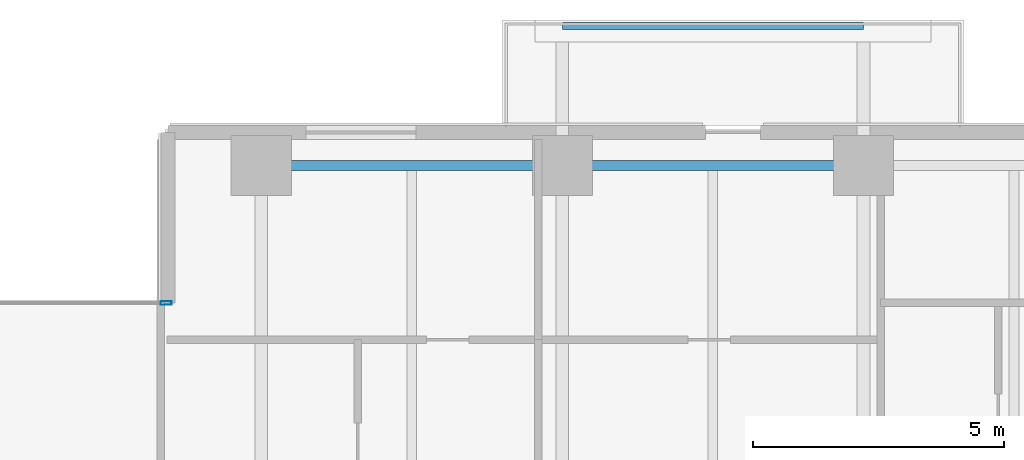
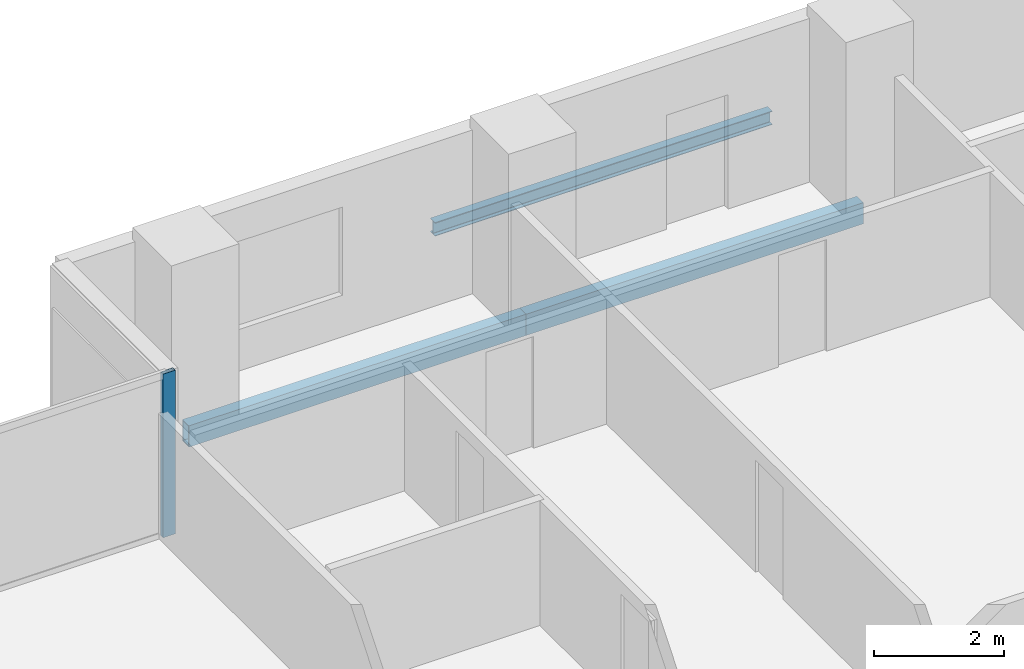
# One storey, part 8 of 26: 3 beams, 1 member, 1 element without a shape of its own.
"""IFC4 building model written with IfcOpenShell, lengths in metres."""

from ifc_helpers import new_model, si_unit, direction, frame, origin, origin_2d, place, context, subcontext, project, spatial, hollow_rectangle, i_section, extrude, material, layer, layer_set, material_profile, profile_set, type_object, element, aggregate, save


model = new_model("IFC4")

# Units and contexts
model_context = context("Model", 3, precision=1e-05, world=origin(), true_north=direction((0.0, 1.0)))
body_context = subcontext(model_context, "Body", "Model", "MODEL_VIEW")
ifc_project = project(units=[si_unit("LENGTHUNIT", "METRE"), si_unit("AREAUNIT", "SQUARE_METRE"), si_unit("VOLUMEUNIT", "CUBIC_METRE"), si_unit("PLANEANGLEUNIT", "RADIAN"), si_unit("MASSUNIT", "GRAM", prefix="KILO")], contexts=[model_context])

# Site, building, storey
site_placement = place(None, origin())
site = spatial("IfcSite", under=ifc_project, at=site_placement, CompositionType="ELEMENT")
building_placement = place(site_placement, origin())
building = spatial("IfcBuilding", under=site, at=building_placement, Name="Tanjung Sevakor Pilgrim Tower", CompositionType="ELEMENT")
storey_placement = place(building_placement, frame((0.0, 0.0, 45.5400390625)))
storey = spatial("IfcBuildingStorey", under=building, at=storey_placement, Name="L12", CompositionType="ELEMENT", Elevation=45.5400390625)

# Beams
ifc_material_1 = material(Name="Steel S355J2", Category="steel")
ifc_material_profile_1 = material_profile(ifc_material_1, i_section(OverallWidth=0.146484375, OverallDepth=0.256103515625, WebThickness=0.00634765625, FlangeThickness=0.010986328125, FilletRadius=0.007568359375, at=origin_2d()))
ifc_profile_set_1 = profile_set([ifc_material_profile_1], Name="Steel S355J2")
beam_type_1 = type_object("IfcBeamType", Name="BM-B-J6-UB_254x146x37", PredefinedType="JOIST", material=ifc_profile_set_1)
beam_placement = place(storey_placement, frame((60.0, 61.580078125, -0.328125), z_axis=(1.0, 0.0, 0.0), x_axis=(0.0, 1.0, 0.0)))
element("IfcBeam", 1, at=beam_placement, inside=storey, type_object=beam_type_1, Name="L12 Balcony Rim Tie MAIN-N2", PredefinedType="JOIST", context=body_context, shape_type="SweptSolid", body=[
    extrude(i_section(OverallWidth=0.146484375, OverallDepth=0.256103515625, WebThickness=0.00634765625, FlangeThickness=0.010986328125, FilletRadius=0.007568359375, at=origin_2d()), origin(), (0.0, 0.0, 1.0), 6.0),
])
ifc_material_2 = material(Name="Steel S355J2", Category="steel")
ifc_material_profile_2 = material_profile(ifc_material_2, hollow_rectangle(XDim=0.199951171875, YDim=0.39990234375, WallThickness=0.01611328125, at=origin_2d()))
ifc_profile_set_2 = profile_set([ifc_material_profile_2], Name="Steel S355J2")
beam_type_2 = type_object("IfcBeamType", Name="BM-B-SP2-RHS_400x200x16", PredefinedType="SPANDREL", material=ifc_profile_set_2)
for number, where, z_axis, x_axis, name in (
    (2, (54.0, 58.800048828125, -0.419921875), (1.0, 0.0, 0.0), (0.0, 1.0, 0.0), "L12 Spandrel MAIN N-08"),
    (3, (60.0, 58.800048828125, -0.419921875), (1.0, 0.0, 0.0), (0.0, 1.0, 0.0), "L12 Spandrel MAIN N-10"),
):
    element("IfcBeam", number, at=place(storey_placement, frame(where, z_axis=z_axis, x_axis=x_axis)), inside=storey, type_object=beam_type_2, Name=name, PredefinedType="SPANDREL", context=body_context, shape_type="SweptSolid", body=[
        extrude(hollow_rectangle(XDim=0.199951171875, YDim=0.39990234375, WallThickness=0.01611328125, at=origin_2d()), origin(), (0.0, 0.0, 1.0), 6.0),
    ])

# Curtain wall, member
ifc_material_3 = material(Name="Aluminium 6063-T6 and Low-E Glass", Category="aluminium")
ifc_layer = layer(ifc_material_3, 0.179931640625)
ifc_layer_set = layer_set([ifc_layer], Name="CW-SYS-CLEFT")
curtain_wall_type = type_object("IfcCurtainWallType", Name="CW-SYS-CLEFT", PredefinedType="NOTDEFINED", material=ifc_layer_set)
curtain_wall_placement = place(storey_placement, origin())
curtain_wall = element("IfcCurtainWall", 4, at=curtain_wall_placement, inside=storey, type_object=curtain_wall_type, Name="L12 Curtain Wall CW-CLF-L12-10", PredefinedType="NOTDEFINED")
ifc_material_4 = material(Name="Aluminium 6063-T6", Category="aluminium")
ifc_material_profile_3 = material_profile(ifc_material_4, hollow_rectangle(XDim=0.074951171875, YDim=0.219970703125, WallThickness=0.0048828125, at=origin_2d()))
ifc_profile_set_3 = profile_set([ifc_material_profile_3], Name="Aluminium 6063-T6")
member_type = type_object("IfcMemberType", Name="TYPE-CWM-2", PredefinedType="MULLION", material=ifc_profile_set_3)
member_placement = place(storey_placement, frame((52.1025390625, 56.06005859375, 0.0), z_axis=(0.0, 0.0, 1.0), x_axis=(0.0, -1.0, 0.0)))
member = element("IfcMember", 5, at=member_placement, type_object=member_type, Name="CW-CLF mullion 1", PredefinedType="MULLION", context=body_context, shape_type="SweptSolid", body=[
    extrude(hollow_rectangle(XDim=0.074951171875, YDim=0.219970703125, WallThickness=0.0048828125, at=origin_2d()), origin(), (0.0, 0.0, 1.0), 3.080078125),
])
aggregate(curtain_wall, [member])

save(model, "model.ifc")
